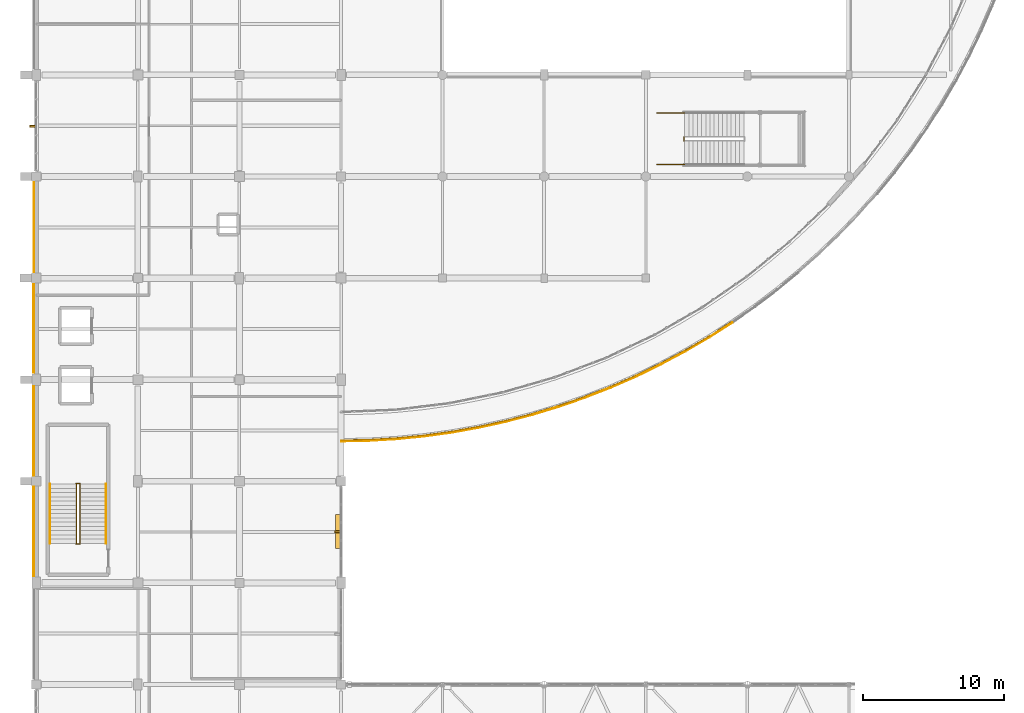
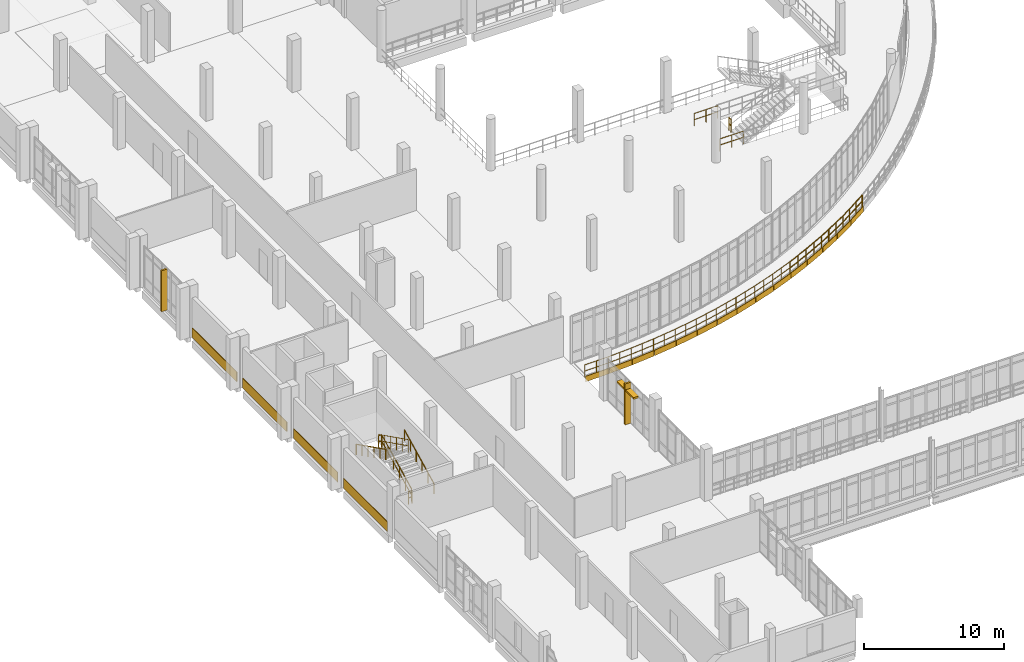
# One storey, part 116 of 124: 24 railings, 19 coverings, 3 shading devices.
"""IFC4 building model written with IfcOpenShell, lengths in metres."""

import ifcopenshell
import ifcopenshell.guid

model = None  # the IFC model being written
_history = None  # IfcOwnerHistory: only IFC2X3 demands one
_inside = {}  # id of a spatial element -> (the spatial element, [elements in it])
_under = {}  # id of a project, library or spatial element -> (it, [spatial elements below it])
_declared = {}  # id of a project -> (the project, [libraries it declares])
_typed = {}  # id of a type object -> (the type object, [elements of that type])
_made_of = {}  # id of a material, layer set ... -> (it, [elements and type objects made of it])


def new_model(schema):
    """Start an empty IFC model of exactly this schema.

    Asked for "IFC4X3", IfcOpenShell would pick the latest addendum, in which some entities
    have other attributes; the version numbers below select the first issue.
    IFC2X3 requires an IfcOwnerHistory on every rooted entity: one is made here for all.
    """
    global model, _history
    if schema == "IFC4X3":
        model = ifcopenshell.file(schema_version=(4, 3, 0, 0))
    else:
        model = ifcopenshell.file(schema=schema)
    _inside.clear()
    _under.clear()
    _declared.clear()
    _typed.clear()
    _made_of.clear()
    _history = None
    if model.schema == "IFC2X3":
        org = make("IfcOrganization", Name="unknown")
        user = make(
            "IfcPersonAndOrganization",
            ThePerson=make("IfcPerson", FamilyName="unknown"),
            TheOrganization=org,
        )
        app = make(
            "IfcApplication",
            ApplicationDeveloper=org,
            Version="unknown",
            ApplicationFullName="unknown",
            ApplicationIdentifier="unknown",
        )
        _history = make(
            "IfcOwnerHistory",
            OwningUser=user,
            OwningApplication=app,
            ChangeAction="ADDED",
            CreationDate=0,
        )
    return model


def make(cls, **values):
    """One entity of the class cls with the attributes given. An attribute that is None is left unset."""
    return model.create_entity(
        cls, **{name: value for name, value in values.items() if value is not None}
    )


def rooted(cls, **values):
    """An entity with a GlobalId (a new one), such as an element, a storey or a relation."""
    return make(cls, GlobalId=ifcopenshell.guid.new(), OwnerHistory=_history, **values)


def si_unit(unit_type, name, prefix=None):
    """IfcSIUnit, for example si_unit("LENGTHUNIT", "METRE", prefix="MILLI")."""
    return make("IfcSIUnit", UnitType=unit_type, Prefix=prefix, Name=name)


def assignment(units):
    """IfcUnitAssignment: the units of a project."""
    return None if units is None else make("IfcUnitAssignment", Units=units)


def point(xyz):
    """IfcCartesianPoint."""
    return None if xyz is None else make("IfcCartesianPoint", Coordinates=xyz)


def direction(xyz):
    """IfcDirection."""
    return None if xyz is None else make("IfcDirection", DirectionRatios=xyz)


def frame(location, z_axis=None, x_axis=None):
    """IfcAxis2Placement3D, a coordinate frame: its origin and axes. An axis left out is left unset."""
    return make(
        "IfcAxis2Placement3D",
        Location=point(location),
        Axis=direction(z_axis),
        RefDirection=direction(x_axis),
    )


def frame_2d(location, x_axis=None):
    """IfcAxis2Placement2D, a coordinate frame in the plane: its origin and x axis."""
    return make(
        "IfcAxis2Placement2D", Location=point(location), RefDirection=direction(x_axis)
    )


def origin():
    """The frame at (0, 0, 0) with its axes left unset."""
    return frame((0.0, 0.0, 0.0))


def origin_2d():
    """The frame at (0, 0) in the plane with its x axis left unset."""
    return frame_2d((0.0, 0.0))


def place(relative_to, where):
    """IfcLocalPlacement: puts the frame where relative to a parent placement (None: the world)."""
    return make(
        "IfcLocalPlacement", PlacementRelTo=relative_to, RelativePlacement=where
    )


def context(
    kind, dimensions, precision=None, world=None, true_north=None, identifier=None
):
    """IfcGeometricRepresentationContext, for example the 3D "Model" context."""
    return make(
        "IfcGeometricRepresentationContext",
        ContextIdentifier=identifier,
        ContextType=kind,
        CoordinateSpaceDimension=dimensions,
        Precision=precision,
        WorldCoordinateSystem=world,
        TrueNorth=true_north,
    )


def subcontext(parent, identifier, kind, view, scale=None):
    """IfcGeometricRepresentationSubContext, for example "Body" below "Model"."""
    return make(
        "IfcGeometricRepresentationSubContext",
        ContextIdentifier=identifier,
        ContextType=kind,
        ParentContext=parent,
        TargetScale=scale,
        TargetView=view,
    )


def project(units=None, contexts=None):
    """IfcProject with its units and contexts."""
    return rooted(
        "IfcProject",
        Name="project",
        RepresentationContexts=contexts,
        UnitsInContext=assignment(units),
    )


def spatial(cls, under=None, at=None, **own):
    """A site, building, storey or space (cls), placed at a placement, below another one or the project."""
    s = rooted(cls, ObjectPlacement=at, **own)
    if under is not None:
        _under.setdefault(under.id(), (under, []))[1].append(s)
    return s


def profile(cls, at=None, kind="AREA", **sizes):
    """A parametric profile (cls). Its sizes go by their IFC names, for example OverallWidth=200.0."""
    return make(cls, ProfileType=kind, Position=at, **sizes)


def rectangle(**sizes):
    """IfcRectangleProfileDef."""
    return profile("IfcRectangleProfileDef", **sizes)


def circle(**sizes):
    """IfcCircleProfileDef."""
    return profile("IfcCircleProfileDef", **sizes)


def extrude(swept, where, along, depth):
    """IfcExtrudedAreaSolid: the profile swept, set in the frame where, extruded along a direction by depth."""
    return make(
        "IfcExtrudedAreaSolid",
        SweptArea=swept,
        Position=where,
        ExtrudedDirection=direction(along),
        Depth=depth,
    )


def shape(context_of_items, identifier, shape_type, items):
    """IfcShapeRepresentation: the items that make up one representation, for example the "Body"."""
    return make(
        "IfcShapeRepresentation",
        ContextOfItems=context_of_items,
        RepresentationIdentifier=identifier,
        RepresentationType=shape_type,
        Items=items,
    )


def material(Name=None, Category=None):
    """IfcMaterial."""
    return make("IfcMaterial", Name=Name, Category=Category)


def layer(
    of_material, thickness, ventilated=None, Name=None, Category=None, Priority=None
):
    """IfcMaterialLayer: one layer of a wall or slab, of a material (None: an air gap)."""
    return make(
        "IfcMaterialLayer",
        Material=of_material,
        LayerThickness=thickness,
        IsVentilated=ventilated,
        Name=Name,
        Category=Category,
        Priority=Priority,
    )


def layer_set(layers, Name=None):
    """IfcMaterialLayerSet."""
    return make("IfcMaterialLayerSet", MaterialLayers=layers, LayerSetName=Name)


def made_of(thing, what):
    """Note that an element or type object is made of a material, layer set ...; save() writes the relation."""
    if what is not None:
        _made_of.setdefault(what.id(), (what, []))[1].append(thing)
    return thing


def type_object(cls, material=None, **own):
    """A type object (cls), such as IfcWallType, which elements share."""
    return made_of(rooted(cls, **own), material)


def element(
    cls,
    number,
    at=None,
    inside=None,
    cuts=None,
    type_object=None,
    material=None,
    context=None,
    identifier="Body",
    shape_type=None,
    held_by="IfcProductDefinitionShape",
    body=None,
    shapes=None,
    **own,
):
    """One element of the class cls, such as IfcWall. Its Tag is "e" and its number.

    at: its placement. inside: the storey or other place that contains it. cuts: it is an
    opening in that element (IfcRelVoidsElement). A single representation is given by context,
    identifier, shape_type and body (its items); several are given by shapes. held_by: the class
    of the entity that holds the representations. save() writes the other relations.
    """
    e = rooted(cls, Tag="e%d" % number, ObjectPlacement=at, **own)
    if body is not None:
        shapes = [shape(context, identifier, shape_type, body)]
    if shapes is not None:
        e.Representation = make(held_by, Representations=shapes)
    if inside is not None:
        _inside.setdefault(inside.id(), (inside, []))[1].append(e)
    if cuts is not None:
        rooted(
            "IfcRelVoidsElement", RelatingBuildingElement=cuts, RelatedOpeningElement=e
        )
    if type_object is not None:
        _typed.setdefault(type_object.id(), (type_object, []))[1].append(e)
    return made_of(e, material)


def aggregate(whole, parts):
    """IfcRelAggregates: a whole, such as a stair, and the parts it consists of."""
    return rooted("IfcRelAggregates", RelatingObject=whole, RelatedObjects=parts)


def save(model, path):
    """Write the relations noted so far, then the file.

    IfcRelAggregates (storeys below a building ...), IfcRelContainedInSpatialStructure (elements
    in a storey), IfcRelDefinesByType, IfcRelAssociatesMaterial and IfcRelDeclares: one each for
    every whole, place, type object, material and project.
    """
    for whole, parts in _under.values():
        aggregate(whole, parts)
    for where, things in _inside.values():
        rooted(
            "IfcRelContainedInSpatialStructure",
            RelatedElements=things,
            RelatingStructure=where,
        )
    for kind, things in _typed.values():
        rooted("IfcRelDefinesByType", RelatedObjects=things, RelatingType=kind)
    for what, things in _made_of.values():
        rooted("IfcRelAssociatesMaterial", RelatedObjects=things, RelatingMaterial=what)
    for by, libraries in _declared.values():
        rooted("IfcRelDeclares", RelatingContext=by, RelatedDefinitions=libraries)
    model.write(path)


model = new_model("IFC4")

# Units and contexts
model_context = context("Model", 3, precision=1e-05, world=origin(), true_north=direction((0.0, 1.0)))
body_context = subcontext(model_context, "Body", "Model", "MODEL_VIEW")
ifc_project = project(units=[si_unit("LENGTHUNIT", "METRE"), si_unit("AREAUNIT", "SQUARE_METRE"), si_unit("VOLUMEUNIT", "CUBIC_METRE"), si_unit("PLANEANGLEUNIT", "RADIAN"), si_unit("MASSUNIT", "GRAM", prefix="KILO")], contexts=[model_context])

# Site, building, storey
site_placement = place(None, origin())
site = spatial("IfcSite", under=ifc_project, at=site_placement, CompositionType="ELEMENT")
building_placement = place(site_placement, origin())
building = spatial("IfcBuilding", under=site, at=building_placement, Name="Kalluvel Institute of Natural Sciences", CompositionType="ELEMENT")
storey_placement = place(building_placement, frame((0.0, 0.0, 9.89990234375)))
storey = spatial("IfcBuildingStorey", under=building, at=storey_placement, Name="L02", CompositionType="ELEMENT", Elevation=9.89990234375)

# Coverings
ifc_material_1 = material(Name="Sadarahalli Grey Granite Ashlar Concrete M40", Category="masonry")
ifc_layer = layer(ifc_material_1, 0.044921875)
ifc_layer_set = layer_set([ifc_layer], Name="Sadarahalli Grey Granite Ashlar Concrete M40")
covering_type = type_object("IfcCoveringType", Name="COV-CLAD-STONE", PredefinedType="CLADDING", material=ifc_layer_set)
for number, where, z_axis, x_axis, name in (
    (1, (13.820068359375, 46.4375, 0.025146484375), (0.0, 0.0, 1.0), (0.0, 1.0, 0.0), "L02 Sadarahalli granite plinth spandrel cladding 151"),
    (2, (13.820068359375, 53.5625, 0.025146484375), (0.0, 0.0, 1.0), (0.0, 1.0, 0.0), "L02 Sadarahalli granite plinth spandrel cladding 152"),
):
    element("IfcCovering", number, at=place(storey_placement, frame(where, z_axis=z_axis, x_axis=x_axis)), inside=storey, type_object=covering_type, Name=name, PredefinedType="CLADDING", context=body_context, shape_type="SweptSolid", body=[
        extrude(rectangle(XDim=6.31494140625, YDim=0.044921875, at=origin_2d()), origin(), (0.0, 0.0, 1.0), 0.85009765625),
    ])
covering_1_placement = place(storey_placement, frame((13.820068359375, 60.824951171875, 0.025146484375), z_axis=(0.0, 0.0, 1.0), x_axis=(0.0, 1.0, 0.0)))
element("IfcCovering", 3, at=covering_1_placement, inside=storey, type_object=covering_type, Name="L02 Sadarahalli granite plinth spandrel cladding 153", PredefinedType="CLADDING", context=body_context, shape_type="SweptSolid", body=[
    extrude(rectangle(XDim=6.2900390625, YDim=0.044921875, at=origin_2d()), origin(), (0.0, 0.0, 1.0), 0.85009765625),
])
covering_2_placement = place(storey_placement, frame((13.830078125, 68.012451171875, 0.025146484375), z_axis=(0.0, 0.0, 1.0), x_axis=(0.0, 1.0, 0.0)))
element("IfcCovering", 4, at=covering_2_placement, inside=storey, type_object=covering_type, Name="L02 Sadarahalli granite plinth spandrel cladding 154", PredefinedType="CLADDING", context=body_context, shape_type="SweptSolid", body=[
    extrude(rectangle(XDim=6.364990234375, YDim=0.044921875, at=origin_2d()), origin(), (0.0, 0.0, 1.0), 0.85009765625),
])
for number, where, z_axis, x_axis, name in (
    (5, (36.580810546875, 52.859375, -0.31982421875), (0.0, 0.0, 1.0), (0.999808950038, 0.019546442745, 0.0), "L02 curved terrace Sadarahalli stone spandrel fascia 247"),
    (6, (38.54052734375, 52.936279296875, -0.31982421875), (0.0, 0.0, 1.0), (0.998260468937, 0.058957918535, 0.0), "L02 curved terrace Sadarahalli stone spandrel fascia 248"),
    (7, (40.49609375, 53.090087890625, -0.31982421875), (0.0, 0.0, 1.0), (0.995193276492, 0.097930293706, 0.0), "L02 curved terrace Sadarahalli stone spandrel fascia 249"),
    (8, (42.44384765625, 53.32080078125, -0.31982421875), (0.0, 0.0, 1.0), (0.990557380089, 0.137098784642, 0.0), "L02 curved terrace Sadarahalli stone spandrel fascia 250"),
    (9, (44.381103515625, 53.627685546875, -0.31982421875), (0.0, 0.0, 1.0), (0.984441905461, 0.175710371841, 0.0), "L02 curved terrace Sadarahalli stone spandrel fascia 251"),
    (10, (46.3046875, 54.01025390625, -0.31982421875), (0.0, 0.0, 1.0), (0.976784579603, 0.214223913346, 0.0), "L02 curved terrace Sadarahalli stone spandrel fascia 252"),
    (11, (48.212158203125, 54.468017578125, -0.31982421875), (0.0, 0.0, 1.0), (0.967577054629, 0.252576015004, 0.0), "L02 curved terrace Sadarahalli stone spandrel fascia 253"),
    (12, (50.099853515625, 55.00048828125, -0.31982421875), (0.0, 0.0, 1.0), (0.956965664205, 0.290201167351, 0.0), "L02 curved terrace Sadarahalli stone spandrel fascia 254"),
    (13, (51.965087890625, 55.606689453125, -0.31982421875), (0.0, 0.0, 1.0), (0.944777451743, 0.327712628196, 0.0), "L02 curved terrace Sadarahalli stone spandrel fascia 255"),
    (14, (53.805419921875, 56.285400390625, -0.31982421875), (0.0, 0.0, 1.0), (0.931183125162, 0.364551762325, 0.0), "L02 curved terrace Sadarahalli stone spandrel fascia 256"),
    (15, (55.61767578125, 57.035888671875, -0.31982421875), (0.0, 0.0, 1.0), (0.916222925562, 0.400668879095, 0.0), "L02 curved terrace Sadarahalli stone spandrel fascia 257"),
    (16, (57.398681640625, 57.857177734375, -0.31982421875), (0.0, 0.0, 1.0), (0.899710196736, 0.436487756861, 0.0), "L02 curved terrace Sadarahalli stone spandrel fascia 258"),
    (17, (59.146484375, 58.747802734375, -0.31982421875), (0.0, 0.0, 1.0), (0.881880123865, 0.47147369718, 0.0), "L02 curved terrace Sadarahalli stone spandrel fascia 259"),
    (18, (60.85791015625, 59.7060546875, -0.31982421875), (0.0, 0.0, 1.0), (0.862778509623, 0.505582083675, 0.0), "L02 curved terrace Sadarahalli stone spandrel fascia 260"),
    (19, (62.530029296875, 60.73095703125, -0.31982421875), (0.0, 0.0, 1.0), (0.842170181815, 0.539211818177, 0.0), "L02 curved terrace Sadarahalli stone spandrel fascia 261"),
):
    element("IfcCovering", number, at=place(storey_placement, frame(where, z_axis=z_axis, x_axis=x_axis)), inside=storey, type_object=covering_type, Name=name, PredefinedType="CLADDING", context=body_context, shape_type="SweptSolid", body=[
        extrude(rectangle(XDim=1.92138671875, YDim=0.054931640625, at=origin_2d()), origin(), (0.0, 0.0, 1.0), 0.47998046875),
    ])

# Railings
ifc_material_2 = material(Name="Steel E350 Grade 350", Category="steel")
railing_type_1 = type_object("IfcRailingType", Name="RL-BAL-EXT", PredefinedType="BALUSTRADE", material=ifc_material_2)
railing_1_placement = place(storey_placement, frame((35.60009765625, 52.919921875, 0.0)))
element("IfcRailing", 20, at=railing_1_placement, inside=storey, type_object=railing_type_1, Name="L02 curved atrium terrace balustrade", PredefinedType="BALUSTRADE", context=body_context, shape_type="SweptSolid", body=[
    extrude(circle(Radius=0.02392578125, at=origin_2d()), frame((0.0, 0.0, 1.09619140625), z_axis=(0.999806045089, 0.019694471403, 0.0), x_axis=(-0.019694471403, 0.999806045089, 0.0)), (0.0, 0.0, 1.0), 1.958740234375),
    extrude(circle(Radius=0.02392578125, at=origin_2d()), frame((0.0, 0.0, 0.56005859375), z_axis=(0.999806045089, 0.019694471403, 0.0), x_axis=(-0.019694471403, 0.999806045089, 0.0)), (0.0, 0.0, 1.0), 1.958740234375),
    extrude(circle(Radius=0.02099609375, at=origin_2d()), origin(), (0.0, 0.0, 1.0), 1.072021484375),
    extrude(circle(Radius=0.02099609375, at=origin_2d()), frame((0.97900390625, 0.019287109375, 0.0)), (0.0, 0.0, 1.0), 1.072021484375),
    extrude(circle(Radius=0.02099609375, at=origin_2d()), frame((1.958251953125, 0.03857421875, 0.0)), (0.0, 0.0, 1.0), 1.072021484375),
])
railing_2_placement = place(storey_placement, frame((37.558349609375, 52.95849609375, 0.0)))
element("IfcRailing", 21, at=railing_2_placement, inside=storey, type_object=railing_type_1, Name="L02 curved atrium terrace balustrade", PredefinedType="BALUSTRADE", context=body_context, shape_type="SweptSolid", body=[
    extrude(circle(Radius=0.02392578125, at=origin_2d()), frame((0.0, 0.0, 1.09619140625), z_axis=(0.998267488602, 0.058838942885, 0.0), x_axis=(-0.058838942885, 0.998267488602, 0.0)), (0.0, 0.0, 1.0), 1.95849609375),
    extrude(circle(Radius=0.02392578125, at=origin_2d()), frame((0.0, 0.0, 0.56005859375), z_axis=(0.998267488602, 0.058838942885, 0.0), x_axis=(-0.058838942885, 0.998267488602, 0.0)), (0.0, 0.0, 1.0), 1.95849609375),
    extrude(circle(Radius=0.02099609375, at=origin_2d()), origin(), (0.0, 0.0, 1.0), 1.072021484375),
    extrude(circle(Radius=0.02099609375, at=origin_2d()), frame((0.9775390625, 0.0576171875, 0.0)), (0.0, 0.0, 1.0), 1.072021484375),
    extrude(circle(Radius=0.02099609375, at=origin_2d()), frame((1.955078125, 0.115234375, 0.0)), (0.0, 0.0, 1.0), 1.072021484375),
])
railing_3_placement = place(storey_placement, frame((39.513427734375, 53.07373046875, 0.0)))
element("IfcRailing", 22, at=railing_3_placement, inside=storey, type_object=railing_type_1, Name="L02 curved atrium terrace balustrade", PredefinedType="BALUSTRADE", context=body_context, shape_type="SweptSolid", body=[
    extrude(circle(Radius=0.02392578125, at=origin_2d()), frame((0.0, 0.0, 1.09619140625), z_axis=(0.995190242754, 0.097961118448, 0.0), x_axis=(-0.097961118448, 0.995190242754, 0.0)), (0.0, 0.0, 1.0), 1.958984375),
    extrude(circle(Radius=0.02392578125, at=origin_2d()), frame((0.0, 0.0, 0.56005859375), z_axis=(0.995190242754, 0.097961118448, 0.0), x_axis=(-0.097961118448, 0.995190242754, 0.0)), (0.0, 0.0, 1.0), 1.958984375),
    extrude(circle(Radius=0.02099609375, at=origin_2d()), origin(), (0.0, 0.0, 1.0), 1.072021484375),
    extrude(circle(Radius=0.02099609375, at=origin_2d()), frame((0.974609375, 0.095947265625, 0.0)), (0.0, 0.0, 1.0), 1.072021484375),
    extrude(circle(Radius=0.02099609375, at=origin_2d()), frame((1.949462890625, 0.19189453125, 0.0)), (0.0, 0.0, 1.0), 1.072021484375),
])
railing_4_placement = place(storey_placement, frame((41.462890625, 53.265625, 0.0)))
element("IfcRailing", 23, at=railing_4_placement, inside=storey, type_object=railing_type_1, Name="L02 curved atrium terrace balustrade", PredefinedType="BALUSTRADE", context=body_context, shape_type="SweptSolid", body=[
    extrude(circle(Radius=0.02392578125, at=origin_2d()), frame((0.0, 0.0, 1.09619140625), z_axis=(0.990553514173, 0.137126713515, 0.0), x_axis=(-0.137126713515, 0.990553514173, 0.0)), (0.0, 0.0, 1.0), 1.95849609375),
    extrude(circle(Radius=0.02392578125, at=origin_2d()), frame((0.0, 0.0, 0.56005859375), z_axis=(0.990553514173, 0.137126713515, 0.0), x_axis=(-0.137126713515, 0.990553514173, 0.0)), (0.0, 0.0, 1.0), 1.95849609375),
    extrude(circle(Radius=0.02099609375, at=origin_2d()), origin(), (0.0, 0.0, 1.0), 1.072021484375),
    extrude(circle(Radius=0.02099609375, at=origin_2d()), frame((0.969970703125, 0.13427734375, 0.0)), (0.0, 0.0, 1.0), 1.072021484375),
    extrude(circle(Radius=0.02099609375, at=origin_2d()), frame((1.93994140625, 0.2685546875, 0.0)), (0.0, 0.0, 1.0), 1.072021484375),
])
railing_5_placement = place(storey_placement, frame((43.40283203125, 53.5341796875, 0.0)))
element("IfcRailing", 24, at=railing_5_placement, inside=storey, type_object=railing_type_1, Name="L02 curved atrium terrace balustrade", PredefinedType="BALUSTRADE", context=body_context, shape_type="SweptSolid", body=[
    extrude(circle(Radius=0.02392578125, at=origin_2d()), frame((0.0, 0.0, 1.09619140625), z_axis=(0.984435278124, 0.175747498374, 0.0), x_axis=(-0.175747498374, 0.984435278124, 0.0)), (0.0, 0.0, 1.0), 1.958740234375),
    extrude(circle(Radius=0.02392578125, at=origin_2d()), frame((0.0, 0.0, 0.56005859375), z_axis=(0.984435278124, 0.175747498374, 0.0), x_axis=(-0.175747498374, 0.984435278124, 0.0)), (0.0, 0.0, 1.0), 1.958740234375),
    extrude(circle(Radius=0.02099609375, at=origin_2d()), origin(), (0.0, 0.0, 1.0), 1.072021484375),
    extrude(circle(Radius=0.02099609375, at=origin_2d()), frame((0.964111328125, 0.172119140625, 0.0)), (0.0, 0.0, 1.0), 1.072021484375),
    extrude(circle(Radius=0.02099609375, at=origin_2d()), frame((1.92822265625, 0.34423828125, 0.0)), (0.0, 0.0, 1.0), 1.072021484375),
])
railing_6_placement = place(storey_placement, frame((45.3310546875, 53.87841796875, 0.0)))
element("IfcRailing", 25, at=railing_6_placement, inside=storey, type_object=railing_type_1, Name="L02 curved atrium terrace balustrade", PredefinedType="BALUSTRADE", context=body_context, shape_type="SweptSolid", body=[
    extrude(circle(Radius=0.02392578125, at=origin_2d()), frame((0.0, 0.0, 1.09619140625), z_axis=(0.976778708308, 0.214250682606, 0.0), x_axis=(-0.214250682606, 0.976778708308, 0.0)), (0.0, 0.0, 1.0), 1.958740234375),
    extrude(circle(Radius=0.02392578125, at=origin_2d()), frame((0.0, 0.0, 0.56005859375), z_axis=(0.976778708308, 0.214250682606, 0.0), x_axis=(-0.214250682606, 0.976778708308, 0.0)), (0.0, 0.0, 1.0), 1.958740234375),
    extrude(circle(Radius=0.02099609375, at=origin_2d()), origin(), (0.0, 0.0, 1.0), 1.072021484375),
    extrude(circle(Radius=0.02099609375, at=origin_2d()), frame((0.95654296875, 0.2099609375, 0.0)), (0.0, 0.0, 1.0), 1.072021484375),
    extrude(circle(Radius=0.02099609375, at=origin_2d()), frame((1.913330078125, 0.419677734375, 0.0)), (0.0, 0.0, 1.0), 1.072021484375),
])
railing_7_placement = place(storey_placement, frame((47.244384765625, 54.298095703125, 0.0)))
element("IfcRailing", 26, at=railing_7_placement, inside=storey, type_object=railing_type_1, Name="L02 curved atrium terrace balustrade", PredefinedType="BALUSTRADE", context=body_context, shape_type="SweptSolid", body=[
    extrude(circle(Radius=0.02392578125, at=origin_2d()), frame((0.0, 0.0, 1.09619140625), z_axis=(0.967582845002, 0.252553831999, 0.0), x_axis=(-0.252553831999, 0.967582845002, 0.0)), (0.0, 0.0, 1.0), 1.95849609375),
    extrude(circle(Radius=0.02392578125, at=origin_2d()), frame((0.0, 0.0, 0.56005859375), z_axis=(0.967582845002, 0.252553831999, 0.0), x_axis=(-0.252553831999, 0.967582845002, 0.0)), (0.0, 0.0, 1.0), 1.95849609375),
    extrude(circle(Radius=0.02099609375, at=origin_2d()), origin(), (0.0, 0.0, 1.0), 1.072021484375),
    extrude(circle(Radius=0.02099609375, at=origin_2d()), frame((0.947509765625, 0.247314453125, 0.0)), (0.0, 0.0, 1.0), 1.072021484375),
    extrude(circle(Radius=0.02099609375, at=origin_2d()), frame((1.89501953125, 0.49462890625, 0.0)), (0.0, 0.0, 1.0), 1.072021484375),
])
railing_8_placement = place(storey_placement, frame((49.139404296875, 54.792724609375, 0.0)))
element("IfcRailing", 27, at=railing_8_placement, inside=storey, type_object=railing_type_1, Name="L02 curved atrium terrace balustrade", PredefinedType="BALUSTRADE", context=body_context, shape_type="SweptSolid", body=[
    extrude(circle(Radius=0.02392578125, at=origin_2d()), frame((0.0, 0.0, 1.09619140625), z_axis=(0.956943653692, 0.290273739183, 0.0), x_axis=(-0.290273739183, 0.956943653692, 0.0)), (0.0, 0.0, 1.0), 1.958740234375),
    extrude(circle(Radius=0.02392578125, at=origin_2d()), frame((0.0, 0.0, 0.56005859375), z_axis=(0.956943653692, 0.290273739183, 0.0), x_axis=(-0.290273739183, 0.956943653692, 0.0)), (0.0, 0.0, 1.0), 1.958740234375),
    extrude(circle(Radius=0.02099609375, at=origin_2d()), origin(), (0.0, 0.0, 1.0), 1.072021484375),
    extrude(circle(Radius=0.02099609375, at=origin_2d()), frame((0.937255859375, 0.2841796875, 0.0)), (0.0, 0.0, 1.0), 1.072021484375),
    extrude(circle(Radius=0.02099609375, at=origin_2d()), frame((1.87451171875, 0.568603515625, 0.0)), (0.0, 0.0, 1.0), 1.072021484375),
])
railing_9_placement = place(storey_placement, frame((51.013916015625, 55.361328125, 0.0)))
element("IfcRailing", 28, at=railing_9_placement, inside=storey, type_object=railing_type_1, Name="L02 curved atrium terrace balustrade", PredefinedType="BALUSTRADE", context=body_context, shape_type="SweptSolid", body=[
    extrude(circle(Radius=0.02392578125, at=origin_2d()), frame((0.0, 0.0, 1.09619140625), z_axis=(0.944812533816, 0.327611471021, 0.0), x_axis=(-0.327611471021, 0.944812533816, 0.0)), (0.0, 0.0, 1.0), 1.95849609375),
    extrude(circle(Radius=0.02392578125, at=origin_2d()), frame((0.0, 0.0, 0.56005859375), z_axis=(0.944812533816, 0.327611471021, 0.0), x_axis=(-0.327611471021, 0.944812533816, 0.0)), (0.0, 0.0, 1.0), 1.95849609375),
    extrude(circle(Radius=0.02099609375, at=origin_2d()), origin(), (0.0, 0.0, 1.0), 1.072021484375),
    extrude(circle(Radius=0.02099609375, at=origin_2d()), frame((0.92529296875, 0.32080078125, 0.0)), (0.0, 0.0, 1.0), 1.072021484375),
    extrude(circle(Radius=0.02099609375, at=origin_2d()), frame((1.850341796875, 0.6416015625, 0.0)), (0.0, 0.0, 1.0), 1.072021484375),
])
railing_10_placement = place(storey_placement, frame((52.8642578125, 56.0029296875, 0.0)))
element("IfcRailing", 29, at=railing_10_placement, inside=storey, type_object=railing_type_1, Name="L02 curved atrium terrace balustrade", PredefinedType="BALUSTRADE", context=body_context, shape_type="SweptSolid", body=[
    extrude(circle(Radius=0.02392578125, at=origin_2d()), frame((0.0, 0.0, 1.09619140625), z_axis=(0.931218870483, 0.364460444022, 0.0), x_axis=(-0.364460444022, 0.931218870483, 0.0)), (0.0, 0.0, 1.0), 1.958740234375),
    extrude(circle(Radius=0.02392578125, at=origin_2d()), frame((0.0, 0.0, 0.56005859375), z_axis=(0.931218870483, 0.364460444022, 0.0), x_axis=(-0.364460444022, 0.931218870483, 0.0)), (0.0, 0.0, 1.0), 1.958740234375),
    extrude(circle(Radius=0.02099609375, at=origin_2d()), origin(), (0.0, 0.0, 1.0), 1.072021484375),
    extrude(circle(Radius=0.02099609375, at=origin_2d()), frame((0.912109375, 0.35693359375, 0.0)), (0.0, 0.0, 1.0), 1.072021484375),
    extrude(circle(Radius=0.02099609375, at=origin_2d()), frame((1.823974609375, 0.7138671875, 0.0)), (0.0, 0.0, 1.0), 1.072021484375),
])
railing_11_placement = place(storey_placement, frame((54.688232421875, 56.716796875, 0.0)))
element("IfcRailing", 30, at=railing_11_placement, inside=storey, type_object=railing_type_1, Name="L02 curved atrium terrace balustrade", PredefinedType="BALUSTRADE", context=body_context, shape_type="SweptSolid", body=[
    extrude(circle(Radius=0.02392578125, at=origin_2d()), frame((0.0, 0.0, 1.09619140625), z_axis=(0.916205956988, 0.400707679461, 0.0), x_axis=(-0.400707679461, 0.916205956988, 0.0)), (0.0, 0.0, 1.0), 1.958740234375),
    extrude(circle(Radius=0.02392578125, at=origin_2d()), frame((0.0, 0.0, 0.56005859375), z_axis=(0.916205956988, 0.400707679461, 0.0), x_axis=(-0.400707679461, 0.916205956988, 0.0)), (0.0, 0.0, 1.0), 1.958740234375),
    extrude(circle(Radius=0.02099609375, at=origin_2d()), origin(), (0.0, 0.0, 1.0), 1.072021484375),
    extrude(circle(Radius=0.02099609375, at=origin_2d()), frame((0.8974609375, 0.392578125, 0.0)), (0.0, 0.0, 1.0), 1.072021484375),
    extrude(circle(Radius=0.02099609375, at=origin_2d()), frame((1.794677734375, 0.784912109375, 0.0)), (0.0, 0.0, 1.0), 1.072021484375),
])
railing_12_placement = place(storey_placement, frame((56.48291015625, 57.501708984375, 0.0)))
element("IfcRailing", 31, at=railing_12_placement, inside=storey, type_object=railing_type_1, Name="L02 curved atrium terrace balustrade", PredefinedType="BALUSTRADE", context=body_context, shape_type="SweptSolid", body=[
    extrude(circle(Radius=0.02392578125, at=origin_2d()), frame((0.0, 0.0, 1.09619140625), z_axis=(0.899698418455, 0.436512034003, 0.0), x_axis=(-0.436512034003, 0.899698418455, 0.0)), (0.0, 0.0, 1.0), 1.958740234375),
    extrude(circle(Radius=0.02392578125, at=origin_2d()), frame((0.0, 0.0, 0.56005859375), z_axis=(0.899698418455, 0.436512034003, 0.0), x_axis=(-0.436512034003, 0.899698418455, 0.0)), (0.0, 0.0, 1.0), 1.958740234375),
    extrude(circle(Radius=0.02099609375, at=origin_2d()), origin(), (0.0, 0.0, 1.0), 1.072021484375),
    extrude(circle(Radius=0.02099609375, at=origin_2d()), frame((0.881103515625, 0.427490234375, 0.0)), (0.0, 0.0, 1.0), 1.072021484375),
    extrude(circle(Radius=0.02099609375, at=origin_2d()), frame((1.76220703125, 0.85498046875, 0.0)), (0.0, 0.0, 1.0), 1.072021484375),
])
railing_13_placement = place(storey_placement, frame((58.2451171875, 58.356689453125, 0.0)))
element("IfcRailing", 32, at=railing_13_placement, inside=storey, type_object=railing_type_1, Name="L02 curved atrium terrace balustrade", PredefinedType="BALUSTRADE", context=body_context, shape_type="SweptSolid", body=[
    extrude(circle(Radius=0.02392578125, at=origin_2d()), frame((0.0, 0.0, 1.09619140625), z_axis=(0.881955792095, 0.471332134263, 0.0), x_axis=(-0.471332134263, 0.881955792095, 0.0)), (0.0, 0.0, 1.0), 1.95849609375),
    extrude(circle(Radius=0.02392578125, at=origin_2d()), frame((0.0, 0.0, 0.56005859375), z_axis=(0.881955792095, 0.471332134263, 0.0), x_axis=(-0.471332134263, 0.881955792095, 0.0)), (0.0, 0.0, 1.0), 1.95849609375),
    extrude(circle(Radius=0.02099609375, at=origin_2d()), origin(), (0.0, 0.0, 1.0), 1.072021484375),
    extrude(circle(Radius=0.02099609375, at=origin_2d()), frame((0.86376953125, 0.46142578125, 0.0)), (0.0, 0.0, 1.0), 1.072021484375),
    extrude(circle(Radius=0.02099609375, at=origin_2d()), frame((1.727294921875, 0.923095703125, 0.0)), (0.0, 0.0, 1.0), 1.072021484375),
])
railing_14_placement = place(storey_placement, frame((59.972412109375, 59.27978515625, 0.0)))
element("IfcRailing", 33, at=railing_14_placement, inside=storey, type_object=railing_type_1, Name="L02 curved atrium terrace balustrade", PredefinedType="BALUSTRADE", context=body_context, shape_type="SweptSolid", body=[
    extrude(circle(Radius=0.02392578125, at=origin_2d()), frame((0.0, 0.0, 1.09619140625), z_axis=(0.862705471089, 0.505706703686, 0.0), x_axis=(-0.505706703686, 0.862705471089, 0.0)), (0.0, 0.0, 1.0), 1.95849609375),
    extrude(circle(Radius=0.02392578125, at=origin_2d()), frame((0.0, 0.0, 0.56005859375), z_axis=(0.862705471089, 0.505706703686, 0.0), x_axis=(-0.505706703686, 0.862705471089, 0.0)), (0.0, 0.0, 1.0), 1.95849609375),
    extrude(circle(Radius=0.02099609375, at=origin_2d()), origin(), (0.0, 0.0, 1.0), 1.072021484375),
    extrude(circle(Radius=0.02099609375, at=origin_2d()), frame((0.8447265625, 0.4951171875, 0.0)), (0.0, 0.0, 1.0), 1.072021484375),
    extrude(circle(Radius=0.02099609375, at=origin_2d()), frame((1.689697265625, 0.990478515625, 0.0)), (0.0, 0.0, 1.0), 1.072021484375),
])
railing_15_placement = place(storey_placement, frame((61.662109375, 60.270263671875, 0.0)))
element("IfcRailing", 34, at=railing_15_placement, inside=storey, type_object=railing_type_1, Name="L02 curved atrium terrace balustrade", PredefinedType="BALUSTRADE", context=body_context, shape_type="SweptSolid", body=[
    extrude(circle(Radius=0.02392578125, at=origin_2d()), frame((0.0, 0.0, 1.09619140625), z_axis=(0.842185373502, 0.539188090243, 0.0), x_axis=(-0.539188090243, 0.842185373502, 0.0)), (0.0, 0.0, 1.0), 1.958740234375),
    extrude(circle(Radius=0.02392578125, at=origin_2d()), frame((0.0, 0.0, 0.56005859375), z_axis=(0.842185373502, 0.539188090243, 0.0), x_axis=(-0.539188090243, 0.842185373502, 0.0)), (0.0, 0.0, 1.0), 1.958740234375),
    extrude(circle(Radius=0.02099609375, at=origin_2d()), origin(), (0.0, 0.0, 1.0), 1.072021484375),
    extrude(circle(Radius=0.02099609375, at=origin_2d()), frame((0.82470703125, 0.528076171875, 0.0)), (0.0, 0.0, 1.0), 1.072021484375),
    extrude(circle(Radius=0.02099609375, at=origin_2d()), frame((1.649658203125, 1.05615234375, 0.0)), (0.0, 0.0, 1.0), 1.072021484375),
])
ifc_material_3 = material(Name="Galvanized Fire-Rated Steel", Category="steel")
railing_type_2 = type_object("IfcRailingType", Name="RL-GD-STAIR", PredefinedType="BALUSTRADE", material=ifc_material_3)
railing_16_placement = place(storey_placement, frame((17.090087890625, 45.60009765625, 0.150146484375)))
element("IfcRailing", 35, at=railing_16_placement, inside=storey, type_object=railing_type_2, Name="L02 ST4 stair guard 1", PredefinedType="BALUSTRADE", context=body_context, shape_type="SweptSolid", body=[
    extrude(circle(Radius=0.02392578125, at=origin_2d()), frame((0.0, 0.0, 1.09619140625), z_axis=(0.0, 0.894437589381, 0.447192798132), x_axis=(-1.0, 0.0, 0.0)), (0.0, 0.0, 1.0), 4.695556640625),
    extrude(circle(Radius=0.02392578125, at=origin_2d()), frame((0.0, 0.0, 0.56005859375), z_axis=(0.0, 0.894437589381, 0.447192798132), x_axis=(-1.0, 0.0, 0.0)), (0.0, 0.0, 1.0), 4.695556640625),
    extrude(circle(Radius=0.02099609375, at=origin_2d()), origin(), (0.0, 0.0, 1.0), 1.072021484375),
    extrude(circle(Radius=0.02099609375, at=origin_2d()), frame((0.0, 0.840087890625, 0.419921875)), (0.0, 0.0, 1.0), 1.072021484375),
    extrude(circle(Radius=0.02099609375, at=origin_2d()), frame((0.0, 1.679931640625, 0.83984375)), (0.0, 0.0, 1.0), 1.072021484375),
    extrude(circle(Radius=0.02099609375, at=origin_2d()), frame((0.0, 2.52001953125, 1.260009765625)), (0.0, 0.0, 1.0), 1.072021484375),
    extrude(circle(Radius=0.02099609375, at=origin_2d()), frame((0.0, 3.35986328125, 1.679931640625)), (0.0, 0.0, 1.0), 1.072021484375),
    extrude(circle(Radius=0.02099609375, at=origin_2d()), frame((0.0, 4.199951171875, 2.099853515625)), (0.0, 0.0, 1.0), 1.072021484375),
])
railing_17_placement = place(storey_placement, frame((17.10498046875, 49.85009765625, 2.25)))
element("IfcRailing", 36, at=railing_17_placement, inside=storey, type_object=railing_type_2, Name="L02 ST4 stair guard 2", PredefinedType="BALUSTRADE", context=body_context, shape_type="SweptSolid", body=[
    extrude(circle(Radius=0.02392578125, at=origin_2d()), frame((0.0, 0.0, 1.09619140625), z_axis=(-1.0, 0.0, 0.0), x_axis=(0.0, -1.0, 0.0)), (0.0, 0.0, 1.0), 0.280029296875),
    extrude(circle(Radius=0.02392578125, at=origin_2d()), frame((0.0, 0.0, 0.56005859375), z_axis=(-1.0, 0.0, 0.0), x_axis=(0.0, -1.0, 0.0)), (0.0, 0.0, 1.0), 0.280029296875),
    extrude(circle(Radius=0.02099609375, at=origin_2d()), origin(), (0.0, 0.0, 1.0), 1.072021484375),
    extrude(circle(Radius=0.02099609375, at=origin_2d()), frame((-0.280029296875, 0.0, 0.0)), (0.0, 0.0, 1.0), 1.072021484375),
])
railing_18_placement = place(storey_placement, frame((16.840087890625, 49.800048828125, 2.400146484375)))
element("IfcRailing", 37, at=railing_18_placement, inside=storey, type_object=railing_type_2, Name="L02 ST4 stair guard 3", PredefinedType="BALUSTRADE", context=body_context, shape_type="SweptSolid", body=[
    extrude(circle(Radius=0.02392578125, at=origin_2d()), frame((0.0, 0.0, 1.09619140625), z_axis=(0.0, -0.894437589381, 0.447192798132), x_axis=(1.0, 0.0, 0.0)), (0.0, 0.0, 1.0), 4.695556640625),
    extrude(circle(Radius=0.02392578125, at=origin_2d()), frame((0.0, 0.0, 0.56005859375), z_axis=(0.0, -0.894437589381, 0.447192798132), x_axis=(1.0, 0.0, 0.0)), (0.0, 0.0, 1.0), 4.695556640625),
    extrude(circle(Radius=0.02099609375, at=origin_2d()), origin(), (0.0, 0.0, 1.0), 1.072021484375),
    extrude(circle(Radius=0.02099609375, at=origin_2d()), frame((0.0, -0.840087890625, 0.419921875)), (0.0, 0.0, 1.0), 1.072021484375),
    extrude(circle(Radius=0.02099609375, at=origin_2d()), frame((0.0, -1.679931640625, 0.83984375)), (0.0, 0.0, 1.0), 1.072021484375),
    extrude(circle(Radius=0.02099609375, at=origin_2d()), frame((0.0, -2.52001953125, 1.260009765625)), (0.0, 0.0, 1.0), 1.072021484375),
    extrude(circle(Radius=0.02099609375, at=origin_2d()), frame((0.0, -3.35986328125, 1.679931640625)), (0.0, 0.0, 1.0), 1.072021484375),
    extrude(circle(Radius=0.02099609375, at=origin_2d()), frame((0.0, -4.199951171875, 2.099853515625)), (0.0, 0.0, 1.0), 1.072021484375),
])
railing_19_placement = place(storey_placement, frame((17.10498046875, 45.550048828125, 0.0)))
element("IfcRailing", 38, at=railing_19_placement, inside=storey, type_object=railing_type_2, Name="L02 ST4 stair guard 4", PredefinedType="BALUSTRADE", context=body_context, shape_type="SweptSolid", body=[
    extrude(circle(Radius=0.02392578125, at=origin_2d()), frame((0.0, 0.0, 1.09619140625), z_axis=(-1.0, 0.0, 0.0), x_axis=(0.0, -1.0, 0.0)), (0.0, 0.0, 1.0), 0.280029296875),
    extrude(circle(Radius=0.02392578125, at=origin_2d()), frame((0.0, 0.0, 0.56005859375), z_axis=(-1.0, 0.0, 0.0), x_axis=(0.0, -1.0, 0.0)), (0.0, 0.0, 1.0), 0.280029296875),
    extrude(circle(Radius=0.02099609375, at=origin_2d()), origin(), (0.0, 0.0, 1.0), 1.072021484375),
    extrude(circle(Radius=0.02099609375, at=origin_2d()), frame((-0.280029296875, 0.0, 0.0)), (0.0, 0.0, 1.0), 1.072021484375),
])
railing_20_placement = place(storey_placement, frame((59.89990234375, 74.135009765625, 0.0)))
element("IfcRailing", 39, at=railing_20_placement, inside=storey, type_object=railing_type_2, Name="L02 ST6 stair guard 7", PredefinedType="BALUSTRADE", context=body_context, shape_type="SweptSolid", body=[
    extrude(circle(Radius=0.02392578125, at=origin_2d()), frame((0.0, 0.0, 1.09619140625), z_axis=(0.0, 1.0, 0.0), x_axis=(-1.0, 0.0, 0.0)), (0.0, 0.0, 1.0), 0.280029296875),
    extrude(circle(Radius=0.02392578125, at=origin_2d()), frame((0.0, 0.0, 0.56005859375), z_axis=(0.0, 1.0, 0.0), x_axis=(-1.0, 0.0, 0.0)), (0.0, 0.0, 1.0), 0.280029296875),
    extrude(circle(Radius=0.02099609375, at=origin_2d()), origin(), (0.0, 0.0, 1.0), 1.072021484375),
    extrude(circle(Radius=0.02099609375, at=origin_2d()), frame((0.0, 0.280029296875, 0.0)), (0.0, 0.0, 1.0), 1.072021484375),
])
for number, where, name in (
    (40, (58.0, 72.449951171875, 0.0), "L02 ST6 stair guard 8"),
    (41, (58.0, 76.10009765625, 0.0), "L02 ST6 stair guard 9"),
):
    element("IfcRailing", number, at=place(storey_placement, frame(where)), inside=storey, type_object=railing_type_2, Name=name, PredefinedType="BALUSTRADE", context=body_context, shape_type="SweptSolid", body=[
        extrude(circle(Radius=0.02392578125, at=origin_2d()), frame((0.0, 0.0, 1.09619140625), z_axis=(1.0, 0.0, 0.0), x_axis=(0.0, 1.0, 0.0)), (0.0, 0.0, 1.0), 1.949951171875),
        extrude(circle(Radius=0.02392578125, at=origin_2d()), frame((0.0, 0.0, 0.56005859375), z_axis=(1.0, 0.0, 0.0), x_axis=(0.0, 1.0, 0.0)), (0.0, 0.0, 1.0), 1.949951171875),
        extrude(circle(Radius=0.02099609375, at=origin_2d()), origin(), (0.0, 0.0, 1.0), 1.072021484375),
        extrude(circle(Radius=0.02099609375, at=origin_2d()), frame((0.97509765625, 0.0, 0.0)), (0.0, 0.0, 1.0), 1.072021484375),
        extrude(circle(Radius=0.02099609375, at=origin_2d()), frame((1.949951171875, 0.0, 0.0)), (0.0, 0.0, 1.0), 1.072021484375),
    ])
railing_type_3 = type_object("IfcRailingType", Name="RL-HR-STAIR", PredefinedType="HANDRAIL", material=ifc_material_3)
railing_21_placement = place(storey_placement, frame((18.949951171875, 45.60009765625, 0.150146484375)))
element("IfcRailing", 42, at=railing_21_placement, inside=storey, type_object=railing_type_3, Name="L02 ST4 stair handrail 1", PredefinedType="HANDRAIL", context=body_context, shape_type="SweptSolid", body=[
    extrude(circle(Radius=0.02392578125, at=origin_2d()), frame((0.0, 0.0, 0.89599609375), z_axis=(0.0, 0.894437589381, 0.447192798132), x_axis=(-1.0, 0.0, 0.0)), (0.0, 0.0, 1.0), 4.695556640625),
    extrude(circle(Radius=0.02099609375, at=origin_2d()), origin(), (0.0, 0.0, 1.0), 0.871826171875),
    extrude(circle(Radius=0.02099609375, at=origin_2d()), frame((0.0, 0.840087890625, 0.419921875)), (0.0, 0.0, 1.0), 0.871826171875),
    extrude(circle(Radius=0.02099609375, at=origin_2d()), frame((0.0, 1.679931640625, 0.83984375)), (0.0, 0.0, 1.0), 0.871826171875),
    extrude(circle(Radius=0.02099609375, at=origin_2d()), frame((0.0, 2.52001953125, 1.260009765625)), (0.0, 0.0, 1.0), 0.871826171875),
    extrude(circle(Radius=0.02099609375, at=origin_2d()), frame((0.0, 3.35986328125, 1.679931640625)), (0.0, 0.0, 1.0), 0.871826171875),
    extrude(circle(Radius=0.02099609375, at=origin_2d()), frame((0.0, 4.199951171875, 2.099853515625)), (0.0, 0.0, 1.0), 0.871826171875),
])
railing_22_placement = place(storey_placement, frame((14.97998046875, 49.800048828125, 2.400146484375)))
element("IfcRailing", 43, at=railing_22_placement, inside=storey, type_object=railing_type_3, Name="L02 ST4 stair handrail 2", PredefinedType="HANDRAIL", context=body_context, shape_type="SweptSolid", body=[
    extrude(circle(Radius=0.02392578125, at=origin_2d()), frame((0.0, 0.0, 0.89599609375), z_axis=(0.0, -0.894437589381, 0.447192798132), x_axis=(1.0, 0.0, 0.0)), (0.0, 0.0, 1.0), 4.695556640625),
    extrude(circle(Radius=0.02099609375, at=origin_2d()), origin(), (0.0, 0.0, 1.0), 0.871826171875),
    extrude(circle(Radius=0.02099609375, at=origin_2d()), frame((0.0, -0.840087890625, 0.419921875)), (0.0, 0.0, 1.0), 0.871826171875),
    extrude(circle(Radius=0.02099609375, at=origin_2d()), frame((0.0, -1.679931640625, 0.83984375)), (0.0, 0.0, 1.0), 0.871826171875),
    extrude(circle(Radius=0.02099609375, at=origin_2d()), frame((0.0, -2.52001953125, 1.260009765625)), (0.0, 0.0, 1.0), 0.871826171875),
    extrude(circle(Radius=0.02099609375, at=origin_2d()), frame((0.0, -3.35986328125, 1.679931640625)), (0.0, 0.0, 1.0), 0.871826171875),
    extrude(circle(Radius=0.02099609375, at=origin_2d()), frame((0.0, -4.199951171875, 2.099853515625)), (0.0, 0.0, 1.0), 0.871826171875),
])

# Shading devices
shading_device_type_1 = type_object("IfcShadingDeviceType", Name="SHD-FIN-STONE", PredefinedType="USERDEFINED", material=ifc_material_1)
for number, where, z_axis, x_axis, name in (
    (44, (13.780029296875, 75.16259765625, 0.0), (0.0, 0.0, 1.0), (0.0, 1.0, 0.0), "L02 monsoon lancet shading fin 143"),
    (45, (35.3798828125, 46.4375, 0.0), (0.0, 0.0, 1.0), (0.0, 1.0, 0.0), "L02 monsoon lancet shading fin 150"),
):
    element("IfcShadingDevice", number, at=place(storey_placement, frame(where, z_axis=z_axis, x_axis=x_axis)), inside=storey, type_object=shading_device_type_1, Name=name, ObjectType="MONSOON FIN", PredefinedType="USERDEFINED", context=body_context, shape_type="SweptSolid", body=[
        extrude(rectangle(XDim=0.139892578125, YDim=0.47998046875, at=origin_2d()), origin(), (0.0, 0.0, 1.0), 3.570068359375),
    ])
ifc_material_4 = material(Name="Aluminium AW-6063 T6", Category="aluminium")
shading_device_type_2 = type_object("IfcShadingDeviceType", Name="SHD-LOUV-ALU", PredefinedType="JALOUSIE", material=ifc_material_4)
shading_device_placement = place(storey_placement, frame((35.39990234375, 46.4375, 2.89013671875), z_axis=(0.0, 0.0, 1.0), x_axis=(0.0, 1.0, 0.0)))
element("IfcShadingDevice", 46, at=shading_device_placement, inside=storey, type_object=shading_device_type_2, Name="L02 aluminium sun-shading louvre 151", PredefinedType="JALOUSIE", context=body_context, shape_type="SweptSolid", body=[
    extrude(rectangle(XDim=2.39990234375, YDim=0.419921875, at=origin_2d()), origin(), (0.0, 0.0, 1.0), 0.159912109375),
])

save(model, "model.ifc")
